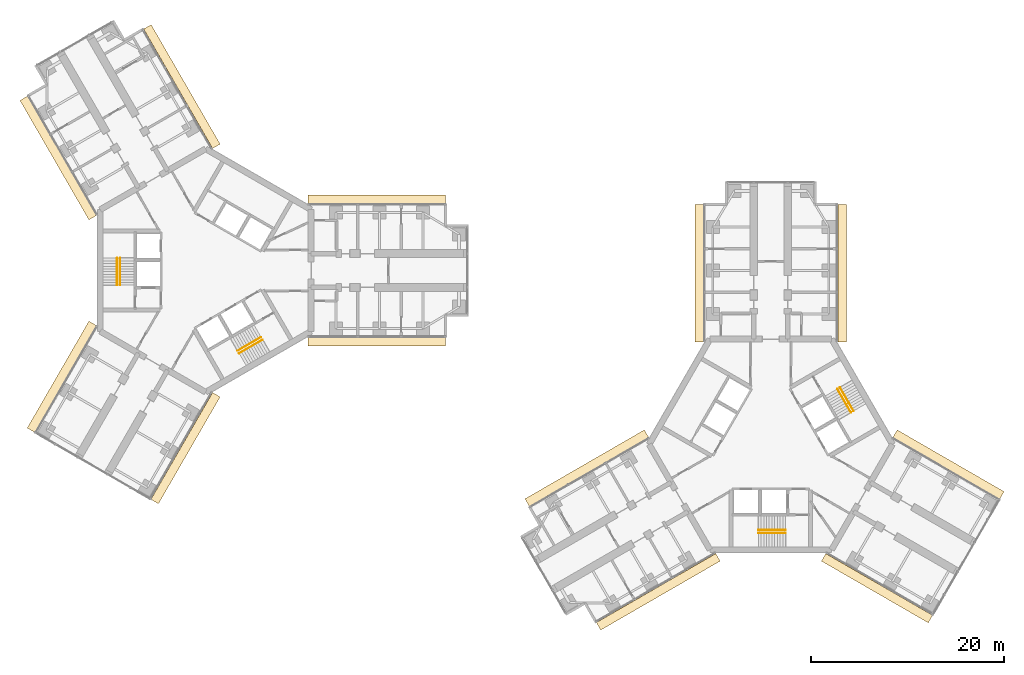
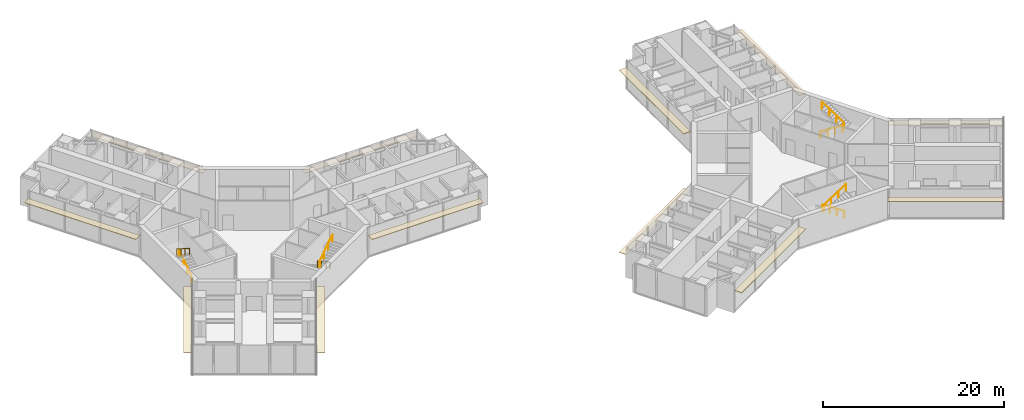
# One storey, part 21 of 21: 12 coverings, 8 railings.
"""IFC4 building model written with IfcOpenShell, lengths in metres."""

import ifcopenshell
import ifcopenshell.guid

model = None  # the IFC model being written
_history = None  # IfcOwnerHistory: only IFC2X3 demands one
_inside = {}  # id of a spatial element -> (the spatial element, [elements in it])
_under = {}  # id of a project, library or spatial element -> (it, [spatial elements below it])
_declared = {}  # id of a project -> (the project, [libraries it declares])
_typed = {}  # id of a type object -> (the type object, [elements of that type])
_made_of = {}  # id of a material, layer set ... -> (it, [elements and type objects made of it])


def new_model(schema):
    """Start an empty IFC model of exactly this schema.

    Asked for "IFC4X3", IfcOpenShell would pick the latest addendum, in which some entities
    have other attributes; the version numbers below select the first issue.
    IFC2X3 requires an IfcOwnerHistory on every rooted entity: one is made here for all.
    """
    global model, _history
    if schema == "IFC4X3":
        model = ifcopenshell.file(schema_version=(4, 3, 0, 0))
    else:
        model = ifcopenshell.file(schema=schema)
    _inside.clear()
    _under.clear()
    _declared.clear()
    _typed.clear()
    _made_of.clear()
    _history = None
    if model.schema == "IFC2X3":
        org = make("IfcOrganization", Name="unknown")
        user = make(
            "IfcPersonAndOrganization",
            ThePerson=make("IfcPerson", FamilyName="unknown"),
            TheOrganization=org,
        )
        app = make(
            "IfcApplication",
            ApplicationDeveloper=org,
            Version="unknown",
            ApplicationFullName="unknown",
            ApplicationIdentifier="unknown",
        )
        _history = make(
            "IfcOwnerHistory",
            OwningUser=user,
            OwningApplication=app,
            ChangeAction="ADDED",
            CreationDate=0,
        )
    return model


def make(cls, **values):
    """One entity of the class cls with the attributes given. An attribute that is None is left unset."""
    return model.create_entity(
        cls, **{name: value for name, value in values.items() if value is not None}
    )


def rooted(cls, **values):
    """An entity with a GlobalId (a new one), such as an element, a storey or a relation."""
    return make(cls, GlobalId=ifcopenshell.guid.new(), OwnerHistory=_history, **values)


def si_unit(unit_type, name, prefix=None):
    """IfcSIUnit, for example si_unit("LENGTHUNIT", "METRE", prefix="MILLI")."""
    return make("IfcSIUnit", UnitType=unit_type, Prefix=prefix, Name=name)


def assignment(units):
    """IfcUnitAssignment: the units of a project."""
    return None if units is None else make("IfcUnitAssignment", Units=units)


def point(xyz):
    """IfcCartesianPoint."""
    return None if xyz is None else make("IfcCartesianPoint", Coordinates=xyz)


def direction(xyz):
    """IfcDirection."""
    return None if xyz is None else make("IfcDirection", DirectionRatios=xyz)


def frame(location, z_axis=None, x_axis=None):
    """IfcAxis2Placement3D, a coordinate frame: its origin and axes. An axis left out is left unset."""
    return make(
        "IfcAxis2Placement3D",
        Location=point(location),
        Axis=direction(z_axis),
        RefDirection=direction(x_axis),
    )


def frame_2d(location, x_axis=None):
    """IfcAxis2Placement2D, a coordinate frame in the plane: its origin and x axis."""
    return make(
        "IfcAxis2Placement2D", Location=point(location), RefDirection=direction(x_axis)
    )


def origin():
    """The frame at (0, 0, 0) with its axes left unset."""
    return frame((0.0, 0.0, 0.0))


def origin_2d():
    """The frame at (0, 0) in the plane with its x axis left unset."""
    return frame_2d((0.0, 0.0))


def place(relative_to, where):
    """IfcLocalPlacement: puts the frame where relative to a parent placement (None: the world)."""
    return make(
        "IfcLocalPlacement", PlacementRelTo=relative_to, RelativePlacement=where
    )


def context(
    kind, dimensions, precision=None, world=None, true_north=None, identifier=None
):
    """IfcGeometricRepresentationContext, for example the 3D "Model" context."""
    return make(
        "IfcGeometricRepresentationContext",
        ContextIdentifier=identifier,
        ContextType=kind,
        CoordinateSpaceDimension=dimensions,
        Precision=precision,
        WorldCoordinateSystem=world,
        TrueNorth=true_north,
    )


def subcontext(parent, identifier, kind, view, scale=None):
    """IfcGeometricRepresentationSubContext, for example "Body" below "Model"."""
    return make(
        "IfcGeometricRepresentationSubContext",
        ContextIdentifier=identifier,
        ContextType=kind,
        ParentContext=parent,
        TargetScale=scale,
        TargetView=view,
    )


def project(units=None, contexts=None):
    """IfcProject with its units and contexts."""
    return rooted(
        "IfcProject",
        Name="project",
        RepresentationContexts=contexts,
        UnitsInContext=assignment(units),
    )


def spatial(cls, under=None, at=None, **own):
    """A site, building, storey or space (cls), placed at a placement, below another one or the project."""
    s = rooted(cls, ObjectPlacement=at, **own)
    if under is not None:
        _under.setdefault(under.id(), (under, []))[1].append(s)
    return s


def profile(cls, at=None, kind="AREA", **sizes):
    """A parametric profile (cls). Its sizes go by their IFC names, for example OverallWidth=200.0."""
    return make(cls, ProfileType=kind, Position=at, **sizes)


def rectangle(**sizes):
    """IfcRectangleProfileDef."""
    return profile("IfcRectangleProfileDef", **sizes)


def circle(**sizes):
    """IfcCircleProfileDef."""
    return profile("IfcCircleProfileDef", **sizes)


def extrude(swept, where, along, depth):
    """IfcExtrudedAreaSolid: the profile swept, set in the frame where, extruded along a direction by depth."""
    return make(
        "IfcExtrudedAreaSolid",
        SweptArea=swept,
        Position=where,
        ExtrudedDirection=direction(along),
        Depth=depth,
    )


def shape(context_of_items, identifier, shape_type, items):
    """IfcShapeRepresentation: the items that make up one representation, for example the "Body"."""
    return make(
        "IfcShapeRepresentation",
        ContextOfItems=context_of_items,
        RepresentationIdentifier=identifier,
        RepresentationType=shape_type,
        Items=items,
    )


def material(Name=None, Category=None):
    """IfcMaterial."""
    return make("IfcMaterial", Name=Name, Category=Category)


def layer(
    of_material, thickness, ventilated=None, Name=None, Category=None, Priority=None
):
    """IfcMaterialLayer: one layer of a wall or slab, of a material (None: an air gap)."""
    return make(
        "IfcMaterialLayer",
        Material=of_material,
        LayerThickness=thickness,
        IsVentilated=ventilated,
        Name=Name,
        Category=Category,
        Priority=Priority,
    )


def layer_set(layers, Name=None):
    """IfcMaterialLayerSet."""
    return make("IfcMaterialLayerSet", MaterialLayers=layers, LayerSetName=Name)


def made_of(thing, what):
    """Note that an element or type object is made of a material, layer set ...; save() writes the relation."""
    if what is not None:
        _made_of.setdefault(what.id(), (what, []))[1].append(thing)
    return thing


def type_object(cls, material=None, **own):
    """A type object (cls), such as IfcWallType, which elements share."""
    return made_of(rooted(cls, **own), material)


def element(
    cls,
    number,
    at=None,
    inside=None,
    cuts=None,
    type_object=None,
    material=None,
    context=None,
    identifier="Body",
    shape_type=None,
    held_by="IfcProductDefinitionShape",
    body=None,
    shapes=None,
    **own,
):
    """One element of the class cls, such as IfcWall. Its Tag is "e" and its number.

    at: its placement. inside: the storey or other place that contains it. cuts: it is an
    opening in that element (IfcRelVoidsElement). A single representation is given by context,
    identifier, shape_type and body (its items); several are given by shapes. held_by: the class
    of the entity that holds the representations. save() writes the other relations.
    """
    e = rooted(cls, Tag="e%d" % number, ObjectPlacement=at, **own)
    if body is not None:
        shapes = [shape(context, identifier, shape_type, body)]
    if shapes is not None:
        e.Representation = make(held_by, Representations=shapes)
    if inside is not None:
        _inside.setdefault(inside.id(), (inside, []))[1].append(e)
    if cuts is not None:
        rooted(
            "IfcRelVoidsElement", RelatingBuildingElement=cuts, RelatedOpeningElement=e
        )
    if type_object is not None:
        _typed.setdefault(type_object.id(), (type_object, []))[1].append(e)
    return made_of(e, material)


def aggregate(whole, parts):
    """IfcRelAggregates: a whole, such as a stair, and the parts it consists of."""
    return rooted("IfcRelAggregates", RelatingObject=whole, RelatedObjects=parts)


def save(model, path):
    """Write the relations noted so far, then the file.

    IfcRelAggregates (storeys below a building ...), IfcRelContainedInSpatialStructure (elements
    in a storey), IfcRelDefinesByType, IfcRelAssociatesMaterial and IfcRelDeclares: one each for
    every whole, place, type object, material and project.
    """
    for whole, parts in _under.values():
        aggregate(whole, parts)
    for where, things in _inside.values():
        rooted(
            "IfcRelContainedInSpatialStructure",
            RelatedElements=things,
            RelatingStructure=where,
        )
    for kind, things in _typed.values():
        rooted("IfcRelDefinesByType", RelatedObjects=things, RelatingType=kind)
    for what, things in _made_of.values():
        rooted("IfcRelAssociatesMaterial", RelatedObjects=things, RelatingMaterial=what)
    for by, libraries in _declared.values():
        rooted("IfcRelDeclares", RelatingContext=by, RelatedDefinitions=libraries)
    model.write(path)


model = new_model("IFC4")

# Units and contexts
model_context = context("Model", 3, precision=1e-05, world=origin(), true_north=direction((0.0, 1.0)))
body_context = subcontext(model_context, "Body", "Model", "MODEL_VIEW")
ifc_project = project(units=[si_unit("LENGTHUNIT", "METRE"), si_unit("AREAUNIT", "SQUARE_METRE"), si_unit("VOLUMEUNIT", "CUBIC_METRE"), si_unit("PLANEANGLEUNIT", "RADIAN"), si_unit("MASSUNIT", "GRAM", prefix="KILO")], contexts=[model_context])

# Site, building, storey
site_placement = place(None, origin())
site = spatial("IfcSite", under=ifc_project, at=site_placement, CompositionType="ELEMENT")
building_placement = place(site_placement, origin())
building = spatial("IfcBuilding", under=site, at=building_placement, Name="Upepo Twin Towers", CompositionType="ELEMENT")
storey_placement = place(building_placement, frame((0.0, 0.0, 113.5)))
storey = spatial("IfcBuildingStorey", under=building, at=storey_placement, Name="L27", CompositionType="ELEMENT", Elevation=113.5)

# Coverings
ifc_material_1 = material(Name="Anodised aluminium, pale silver", Category="aluminium")
ifc_layer = layer(ifc_material_1, 0.080078125)
ifc_layer_set = layer_set([ifc_layer], Name="Brise-soleil blade 900 pale aluminium")
covering_type = type_object("IfcCoveringType", Name="Brise-soleil blade 900 pale aluminium", PredefinedType="USERDEFINED", material=ifc_layer_set)
for number, where, z_axis, x_axis, name in (
    (1, (17.718505859375, 7.389892578125, 2.909912109375), (0.0, 0.0, 1.0), (1.0, 0.0, 0.0), "T1 L27 wing A brise-soleil L"),
    (2, (17.718505859375, -7.389892578125, 2.909912109375), (0.0, 0.0, 1.0), (1.0, 0.0, 0.0), "T1 L27 wing A brise-soleil R"),
    (3, (-15.25927734375, 11.649658203125, 2.909912109375), (0.0, 0.0, 1.0), (-0.500000015115, 0.866025395058, 0.0), "T1 L27 wing B brise-soleil L"),
    (4, (-2.459228515625, 19.039794921875, 2.909912109375), (0.0, 0.0, 1.0), (-0.500000015115, 0.866025395058, 0.0), "T1 L27 wing B brise-soleil R"),
):
    element("IfcCovering", number, at=place(storey_placement, frame(where, z_axis=z_axis, x_axis=x_axis)), inside=storey, type_object=covering_type, Name=name, ObjectType="SUNSHADE", PredefinedType="USERDEFINED", context=body_context, shape_type="SweptSolid", body=[
        extrude(rectangle(XDim=14.262939453125, YDim=0.89990234375, at=origin_2d()), origin(), (0.0, 0.0, 1.0), 0.080078125),
    ])
for number, where, z_axis, x_axis, name in (
    (5, (-2.084228515625, -18.39013671875, 2.909912109375), (0.0, 0.0, 1.0), (-0.500000015115, -0.866025395058, 0.0), "T1 L27 wing C brise-soleil L"),
    (6, (-14.88427734375, -11.000244140625, 2.909912109375), (0.0, 0.0, 1.0), (-0.500000015115, -0.866025395058, 0.0), "T1 L27 wing C brise-soleil R"),
):
    element("IfcCovering", number, at=place(storey_placement, frame(where, z_axis=z_axis, x_axis=x_axis)), inside=storey, type_object=covering_type, Name=name, ObjectType="SUNSHADE", PredefinedType="USERDEFINED", context=body_context, shape_type="SweptSolid", body=[
        extrude(rectangle(XDim=12.762939453125, YDim=0.89990234375, at=origin_2d()), origin(), (0.0, 0.0, 1.0), 0.080078125),
    ])
for number, where, z_axis, x_axis, name in (
    (7, (51.110107421875, -0.281494140625, 2.909912109375), (0.0, 0.0, 1.0), (0.0, 1.0, 0.0), "T2 L27 wing A brise-soleil L"),
    (8, (65.889892578125, -0.281494140625, 2.909912109375), (0.0, 0.0, 1.0), (0.0, 1.0, 0.0), "T2 L27 wing A brise-soleil R"),
    (9, (46.850341796875, -33.25927734375, 2.909912109375), (0.0, 0.0, 1.0), (-0.866025395058, -0.500000015115, 0.0), "T2 L27 wing B brise-soleil L"),
    (10, (39.460205078125, -20.459228515625, 2.909912109375), (0.0, 0.0, 1.0), (-0.866025395058, -0.500000015115, 0.0), "T2 L27 wing B brise-soleil R"),
):
    element("IfcCovering", number, at=place(storey_placement, frame(where, z_axis=z_axis, x_axis=x_axis)), inside=storey, type_object=covering_type, Name=name, ObjectType="SUNSHADE", PredefinedType="USERDEFINED", context=body_context, shape_type="SweptSolid", body=[
        extrude(rectangle(XDim=14.262939453125, YDim=0.89990234375, at=origin_2d()), origin(), (0.0, 0.0, 1.0), 0.080078125),
    ])
for number, where, z_axis, x_axis, name in (
    (11, (76.89013671875, -20.084228515625, 2.909912109375), (0.0, 0.0, 1.0), (0.866025395058, -0.500000015115, 0.0), "T2 L27 wing C brise-soleil L"),
    (12, (69.500244140625, -32.88427734375, 2.909912109375), (0.0, 0.0, 1.0), (0.866025395058, -0.500000015115, 0.0), "T2 L27 wing C brise-soleil R"),
):
    element("IfcCovering", number, at=place(storey_placement, frame(where, z_axis=z_axis, x_axis=x_axis)), inside=storey, type_object=covering_type, Name=name, ObjectType="SUNSHADE", PredefinedType="USERDEFINED", context=body_context, shape_type="SweptSolid", body=[
        extrude(rectangle(XDim=12.762939453125, YDim=0.89990234375, at=origin_2d()), origin(), (0.0, 0.0, 1.0), 0.080078125),
    ])

# Railings
ifc_material_2 = material(Name="Stainless steel", Category="steel")
railing_type = type_object("IfcRailingType", Name="Stair handrail 900", PredefinedType="HANDRAIL", material=ifc_material_2)
railing_1_placement = place(storey_placement, frame((-8.85009765625, -1.52001953125, 0.181884765625)))
element("IfcRailing", 13, at=railing_1_placement, inside=storey, type_object=railing_type, Name="T1 stair S1 L27 handrail 1", PredefinedType="HANDRAIL", context=body_context, shape_type="SweptSolid", body=[
    extrude(circle(Radius=0.02392578125, at=origin_2d()), frame((0.0, 0.0, 0.8759765625), z_axis=(0.0, 0.838705829183, 0.544584733623), x_axis=(-1.0, 0.0, 0.0)), (0.0, 0.0, 1.0), 3.338623046875),
    extrude(circle(Radius=0.02099609375, at=origin_2d()), origin(), (0.0, 0.0, 1.0), 0.851806640625),
    extrude(circle(Radius=0.02099609375, at=origin_2d()), frame((0.0, 0.933349609375, 0.60595703125)), (0.0, 0.0, 1.0), 0.851806640625),
    extrude(circle(Radius=0.02099609375, at=origin_2d()), frame((0.0, 1.86669921875, 1.212158203125)), (0.0, 0.0, 1.0), 0.851806640625),
    extrude(circle(Radius=0.02099609375, at=origin_2d()), frame((0.0, 2.800048828125, 1.818115234375)), (0.0, 0.0, 1.0), 0.851806640625),
])
railing_2_placement = place(storey_placement, frame((-9.158447265625, 1.280029296875, 2.181884765625)))
element("IfcRailing", 14, at=railing_2_placement, inside=storey, type_object=railing_type, Name="T1 stair S1 L27 handrail 2", PredefinedType="HANDRAIL", context=body_context, shape_type="SweptSolid", body=[
    extrude(circle(Radius=0.02392578125, at=origin_2d()), frame((0.0, 0.0, 0.8759765625), z_axis=(0.0, -0.838705829183, 0.544584733623), x_axis=(1.0, 0.0, 0.0)), (0.0, 0.0, 1.0), 3.338623046875),
    extrude(circle(Radius=0.02099609375, at=origin_2d()), origin(), (0.0, 0.0, 1.0), 0.851806640625),
    extrude(circle(Radius=0.02099609375, at=origin_2d()), frame((0.0, -0.933349609375, 0.60595703125)), (0.0, 0.0, 1.0), 0.851806640625),
    extrude(circle(Radius=0.02099609375, at=origin_2d()), frame((0.0, -1.86669921875, 1.212158203125)), (0.0, 0.0, 1.0), 0.851806640625),
    extrude(circle(Radius=0.02099609375, at=origin_2d()), frame((0.0, -2.800048828125, 1.818115234375)), (0.0, 0.0, 1.0), 0.851806640625),
])
railing_3_placement = place(storey_placement, frame((5.741455078125, -6.904296875, 0.181884765625)))
element("IfcRailing", 15, at=railing_3_placement, inside=storey, type_object=railing_type, Name="T1 stair S2 L27 handrail 1", PredefinedType="HANDRAIL", context=body_context, shape_type="SweptSolid", body=[
    extrude(circle(Radius=0.02392578125, at=origin_2d()), frame((0.0, 0.0, 0.8759765625), z_axis=(-0.726348578268, -0.419370693282, 0.544560340518), x_axis=(0.500011755427, -0.866018616679, 0.0)), (0.0, 0.0, 1.0), 3.338623046875),
    extrude(circle(Radius=0.02099609375, at=origin_2d()), origin(), (0.0, 0.0, 1.0), 0.851806640625),
    extrude(circle(Radius=0.02099609375, at=origin_2d()), frame((-0.808349609375, -0.466796875, 0.60595703125)), (0.0, 0.0, 1.0), 0.851806640625),
    extrude(circle(Radius=0.02099609375, at=origin_2d()), frame((-1.61669921875, -0.933349609375, 1.212158203125)), (0.0, 0.0, 1.0), 0.851806640625),
    extrude(circle(Radius=0.02099609375, at=origin_2d()), frame((-2.425048828125, -1.400146484375, 1.818115234375)), (0.0, 0.0, 1.0), 0.851806640625),
])
railing_4_placement = place(storey_placement, frame((3.470703125, -8.5712890625, 2.181884765625)))
element("IfcRailing", 16, at=railing_4_placement, inside=storey, type_object=railing_type, Name="T1 stair S2 L27 handrail 2", PredefinedType="HANDRAIL", context=body_context, shape_type="SweptSolid", body=[
    extrude(circle(Radius=0.02392578125, at=origin_2d()), frame((0.0, 0.0, 0.8759765625), z_axis=(0.726336304947, 0.419332699614, 0.544605966869), x_axis=(-0.49998411664, 0.866034573852, 0.0)), (0.0, 0.0, 1.0), 3.33837890625),
    extrude(circle(Radius=0.02099609375, at=origin_2d()), origin(), (0.0, 0.0, 1.0), 0.851806640625),
    extrude(circle(Radius=0.02099609375, at=origin_2d()), frame((0.808349609375, 0.466552734375, 0.60595703125)), (0.0, 0.0, 1.0), 0.851806640625),
    extrude(circle(Radius=0.02099609375, at=origin_2d()), frame((1.616455078125, 0.933349609375, 1.212158203125)), (0.0, 0.0, 1.0), 0.851806640625),
    extrude(circle(Radius=0.02099609375, at=origin_2d()), frame((2.4248046875, 1.39990234375, 1.818115234375)), (0.0, 0.0, 1.0), 0.851806640625),
])
railing_5_placement = place(storey_placement, frame((60.02001953125, -26.85009765625, 0.181884765625)))
element("IfcRailing", 17, at=railing_5_placement, inside=storey, type_object=railing_type, Name="T2 stair S1 L27 handrail 1", PredefinedType="HANDRAIL", context=body_context, shape_type="SweptSolid", body=[
    extrude(circle(Radius=0.02392578125, at=origin_2d()), frame((0.0, 0.0, 0.8759765625), z_axis=(-0.838705829183, 0.0, 0.544584733623), x_axis=(0.0, -1.0, 0.0)), (0.0, 0.0, 1.0), 3.338623046875),
    extrude(circle(Radius=0.02099609375, at=origin_2d()), origin(), (0.0, 0.0, 1.0), 0.851806640625),
    extrude(circle(Radius=0.02099609375, at=origin_2d()), frame((-0.933349609375, 0.0, 0.60595703125)), (0.0, 0.0, 1.0), 0.851806640625),
    extrude(circle(Radius=0.02099609375, at=origin_2d()), frame((-1.86669921875, 0.0, 1.212158203125)), (0.0, 0.0, 1.0), 0.851806640625),
    extrude(circle(Radius=0.02099609375, at=origin_2d()), frame((-2.800048828125, 0.0, 1.818115234375)), (0.0, 0.0, 1.0), 0.851806640625),
])
railing_6_placement = place(storey_placement, frame((57.219970703125, -27.158447265625, 2.181884765625)))
element("IfcRailing", 18, at=railing_6_placement, inside=storey, type_object=railing_type, Name="T2 stair S1 L27 handrail 2", PredefinedType="HANDRAIL", context=body_context, shape_type="SweptSolid", body=[
    extrude(circle(Radius=0.02392578125, at=origin_2d()), frame((0.0, 0.0, 0.8759765625), z_axis=(0.838705829183, 0.0, 0.544584733623), x_axis=(0.0, 1.0, 0.0)), (0.0, 0.0, 1.0), 3.338623046875),
    extrude(circle(Radius=0.02099609375, at=origin_2d()), origin(), (0.0, 0.0, 1.0), 0.851806640625),
    extrude(circle(Radius=0.02099609375, at=origin_2d()), frame((0.933349609375, 0.0, 0.60595703125)), (0.0, 0.0, 1.0), 0.851806640625),
    extrude(circle(Radius=0.02099609375, at=origin_2d()), frame((1.86669921875, 0.0, 1.212158203125)), (0.0, 0.0, 1.0), 0.851806640625),
    extrude(circle(Radius=0.02099609375, at=origin_2d()), frame((2.800048828125, 0.0, 1.818115234375)), (0.0, 0.0, 1.0), 0.851806640625),
])
railing_7_placement = place(storey_placement, frame((65.404296875, -12.258544921875, 0.181884765625)))
element("IfcRailing", 19, at=railing_7_placement, inside=storey, type_object=railing_type, Name="T2 stair S2 L27 handrail 1", PredefinedType="HANDRAIL", context=body_context, shape_type="SweptSolid", body=[
    extrude(circle(Radius=0.02392578125, at=origin_2d()), frame((0.0, 0.0, 0.8759765625), z_axis=(0.419370693282, -0.726348578268, 0.544560340518), x_axis=(0.866018616679, 0.500011755427, 0.0)), (0.0, 0.0, 1.0), 3.338623046875),
    extrude(circle(Radius=0.02099609375, at=origin_2d()), origin(), (0.0, 0.0, 1.0), 0.851806640625),
    extrude(circle(Radius=0.02099609375, at=origin_2d()), frame((0.466796875, -0.808349609375, 0.60595703125)), (0.0, 0.0, 1.0), 0.851806640625),
    extrude(circle(Radius=0.02099609375, at=origin_2d()), frame((0.933349609375, -1.61669921875, 1.212158203125)), (0.0, 0.0, 1.0), 0.851806640625),
    extrude(circle(Radius=0.02099609375, at=origin_2d()), frame((1.400146484375, -2.425048828125, 1.818115234375)), (0.0, 0.0, 1.0), 0.851806640625),
])
railing_8_placement = place(storey_placement, frame((67.0712890625, -14.529296875, 2.181884765625)))
element("IfcRailing", 20, at=railing_8_placement, inside=storey, type_object=railing_type, Name="T2 stair S2 L27 handrail 2", PredefinedType="HANDRAIL", context=body_context, shape_type="SweptSolid", body=[
    extrude(circle(Radius=0.02392578125, at=origin_2d()), frame((0.0, 0.0, 0.8759765625), z_axis=(-0.419332699614, 0.726336304947, 0.544605966869), x_axis=(-0.866034573852, -0.49998411664, 0.0)), (0.0, 0.0, 1.0), 3.33837890625),
    extrude(circle(Radius=0.02099609375, at=origin_2d()), origin(), (0.0, 0.0, 1.0), 0.851806640625),
    extrude(circle(Radius=0.02099609375, at=origin_2d()), frame((-0.466552734375, 0.808349609375, 0.60595703125)), (0.0, 0.0, 1.0), 0.851806640625),
    extrude(circle(Radius=0.02099609375, at=origin_2d()), frame((-0.933349609375, 1.616455078125, 1.212158203125)), (0.0, 0.0, 1.0), 0.851806640625),
    extrude(circle(Radius=0.02099609375, at=origin_2d()), frame((-1.39990234375, 2.4248046875, 1.818115234375)), (0.0, 0.0, 1.0), 0.851806640625),
])

save(model, "model.ifc")
